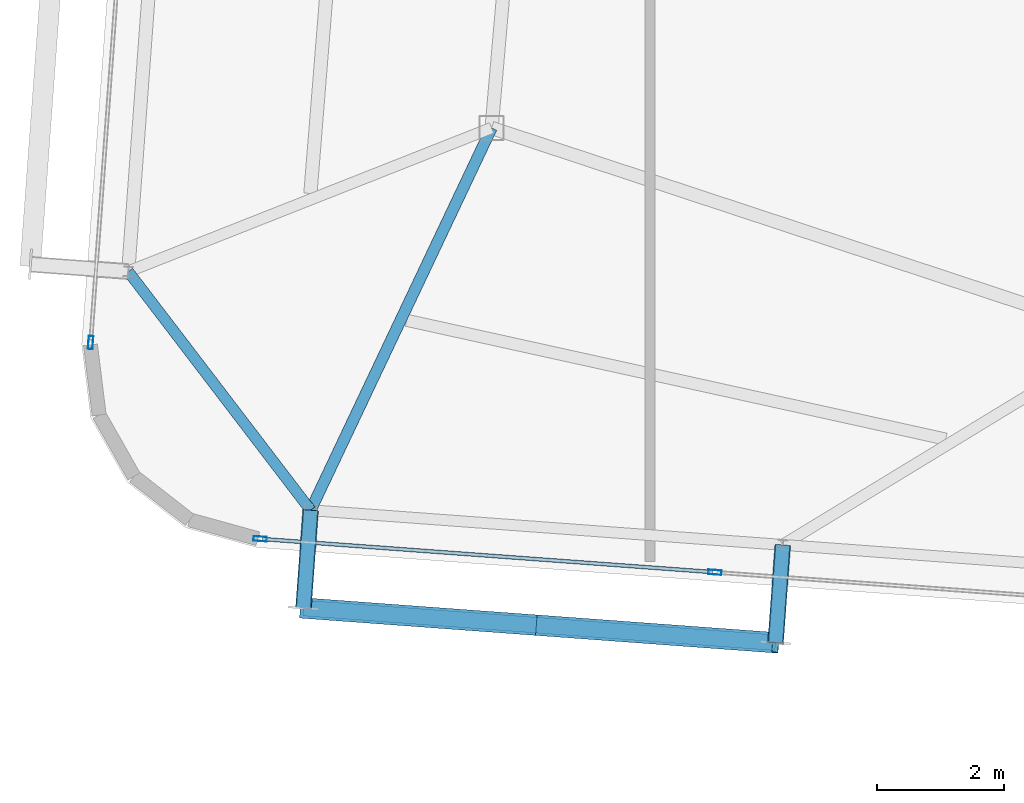
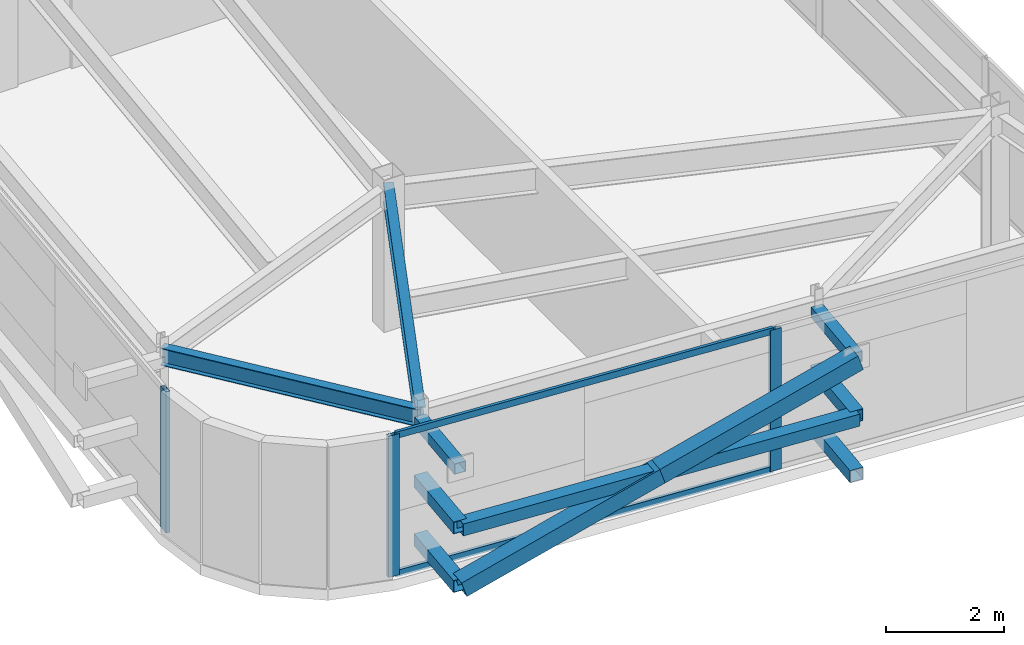
# One storey, part 9 of 39: 14 members, 2 beams, 2 elements without a shape of their own.
"""IFC4 building model written with IfcOpenShell, lengths in metres."""

from ifc_helpers import new_model, si_unit, direction, frame, origin, origin_2d, place, context, subcontext, project, spatial, hollow_rectangle, i_section, extrude, source, transform, mapped, material, layer, layer_set, material_profile, profile_set, type_object, element, aggregate, save


model = new_model("IFC4")

# Units and contexts
model_context = context("Model", 3, precision=1e-05, world=origin(), true_north=direction((0.0, 1.0)))
body_context = subcontext(model_context, "Body", "Model", "MODEL_VIEW")
ifc_project = project(units=[si_unit("LENGTHUNIT", "METRE"), si_unit("AREAUNIT", "SQUARE_METRE"), si_unit("VOLUMEUNIT", "CUBIC_METRE"), si_unit("PLANEANGLEUNIT", "RADIAN"), si_unit("MASSUNIT", "GRAM", prefix="KILO")], contexts=[model_context])

# Site, building, storey
site_placement = place(None, origin())
site = spatial("IfcSite", under=ifc_project, at=site_placement, CompositionType="ELEMENT")
building_placement = place(site_placement, origin())
building = spatial("IfcBuilding", under=site, at=building_placement, Name="Taldren Reach Tower", CompositionType="ELEMENT")
storey_placement = place(building_placement, frame((0.0, 0.0, 230.300048828125)))
storey = spatial("IfcBuildingStorey", under=building, at=storey_placement, Name="L70", CompositionType="ELEMENT", Elevation=230.300048828125)

# Members
ifc_material_1 = material(Name="Steel Gr 350 (C350L0)", Category="steel")
ifc_material_profile_1 = material_profile(ifc_material_1, hollow_rectangle(XDim=0.25, YDim=0.25, WallThickness=0.010009765625, at=origin_2d()), Name="250x250x10.0SHS")
ifc_profile_set_1 = profile_set([ifc_material_profile_1], Name="Steel Gr 350 (C350L0)")
member_type_1 = type_object("IfcMemberType", Name="MB-POST250", PredefinedType="POST", material=ifc_profile_set_1)
shared_shape_1 = source(origin(), body_context, "Body", "SweptSolid", [
    extrude(hollow_rectangle(XDim=0.25, YDim=0.25, WallThickness=0.010009765625, at=origin_2d()), origin(), (0.0, 0.0, 1.0), 1.5498046875),
])
for number, where, z_axis, x_axis, name in (
    (1, (22.6005859375, 5.912353515625, 0.219970703125), (-0.073250797913, -0.997313551801, 0.0), (0.997313551801, -0.073250797913, 0.0), "Exoskeleton base diaphragm tie strut B5-S2 L70"),
    (2, (22.6005859375, 5.912353515625, 1.43505859375), (-0.073250797913, -0.997313551801, 0.0), (0.997313551801, -0.073250797913, 0.0), "Exoskeleton mid-tier diaphragm tie B5-S2 L70"),
):
    element("IfcMember", number, at=place(storey_placement, frame(where, z_axis=z_axis, x_axis=x_axis)), inside=storey, type_object=member_type_1, Name=name, PredefinedType="POST", context=body_context, shape_type="MappedRepresentation", body=[
        mapped(shared_shape_1, transform((0.0, 0.0, 0.0), scale=1.0)),
    ])
shared_shape_2 = source(origin(), body_context, "Body", "SweptSolid", [
    extrude(hollow_rectangle(XDim=0.25, YDim=0.25, WallThickness=0.010009765625, at=origin_2d()), origin(), (0.0, 0.0, 1.0), 1.550048828125),
])
for number, where, z_axis, x_axis, name in (
    (3, (15.140625, 6.460205078125, 0.219970703125), (-0.07323929162, -0.997314396849, 0.0), (0.997314396849, -0.07323929162, 0.0), "Exoskeleton base diaphragm tie strut B5-S1 L70"),
    (4, (15.140625, 6.460205078125, 1.43505859375), (-0.07323929162, -0.997314396849, 0.0), (0.997314396849, -0.07323929162, 0.0), "Exoskeleton mid-tier diaphragm tie B5-S1 L70"),
):
    element("IfcMember", number, at=place(storey_placement, frame(where, z_axis=z_axis, x_axis=x_axis)), inside=storey, type_object=member_type_1, Name=name, PredefinedType="POST", context=body_context, shape_type="MappedRepresentation", body=[
        mapped(shared_shape_2, transform((0.0, 0.0, 0.0), scale=1.0)),
    ])
ifc_material_2 = material(Name="Steel Gr 450 (C450L0)", Category="steel")
ifc_material_profile_2 = material_profile(ifc_material_2, hollow_rectangle(XDim=0.219970703125, YDim=0.219970703125, WallThickness=0.00830078125, at=origin_2d()), Name="220x220x8.2SHS")
ifc_profile_set_2 = profile_set([ifc_material_profile_2], Name="Steel Gr 450 (C450L0)")
member_type_2 = type_object("IfcMemberType", Name="MB-TIE219", PredefinedType="STRUT", material=ifc_profile_set_2)
shared_shape_3 = source(origin(), body_context, "Body", "SweptSolid", [
    extrude(hollow_rectangle(XDim=0.219970703125, YDim=0.219970703125, WallThickness=0.00830078125, at=origin_2d()), origin(), (0.0, 0.0, 1.0), 1.5498046875),
])
member_1_placement = place(storey_placement, frame((22.6005859375, 5.912353515625, 2.64990234375), z_axis=(-0.073250797913, -0.997313551801, 0.0), x_axis=(0.997313551801, -0.073250797913, 0.0)))
element("IfcMember", 5, at=member_1_placement, inside=storey, type_object=member_type_2, Name="Exoskeleton diaphragm tie strut B5-S2 L70", PredefinedType="STRUT", context=body_context, shape_type="MappedRepresentation", body=[
    mapped(shared_shape_3, transform((0.0, 0.0, 0.0), scale=1.0)),
])
shared_shape_4 = source(origin(), body_context, "Body", "SweptSolid", [
    extrude(hollow_rectangle(XDim=0.219970703125, YDim=0.219970703125, WallThickness=0.00830078125, at=origin_2d()), origin(), (0.0, 0.0, 1.0), 1.550048828125),
])
member_2_placement = place(storey_placement, frame((15.140625, 6.460205078125, 2.64990234375), z_axis=(-0.07323929162, -0.997314396849, 0.0), x_axis=(0.997314396849, -0.07323929162, 0.0)))
element("IfcMember", 6, at=member_2_placement, inside=storey, type_object=member_type_2, Name="Exoskeleton diaphragm tie strut B5-S1 L70", PredefinedType="STRUT", context=body_context, shape_type="MappedRepresentation", body=[
    mapped(shared_shape_4, transform((0.0, 0.0, 0.0), scale=1.0)),
])

# Beams
ifc_material_3 = material(Name="Steel Gr 350 (350PLUS)", Category="steel")
ifc_material_profile_3 = material_profile(ifc_material_3, i_section(OverallWidth=0.172119140625, OverallDepth=0.35888671875, WebThickness=0.008056640625, FlangeThickness=0.012939453125, at=origin_2d()), Name="360UB56.7")
ifc_profile_set_3 = profile_set([ifc_material_profile_3], Name="Steel Gr 350 (350PLUS)")
beam_type_1 = type_object("IfcBeamType", Name="SP-UB360", PredefinedType="SPANDREL", material=ifc_profile_set_3)
shared_shape_5 = source(origin(), body_context, "Body", "SweptSolid", [
    extrude(i_section(OverallWidth=0.172119140625, OverallDepth=0.35888671875, WebThickness=0.008056640625, FlangeThickness=0.012939453125, at=origin_2d()), origin(), (0.0, 0.0, 1.0), 4.74609375),
])
beam_1_placement = place(storey_placement, frame((12.259033203125, 10.2314453125, 2.75048828125), z_axis=(0.607144568334, -0.794591387533, 0.0), x_axis=(0.794591387533, 0.607144568334, 0.0)))
element("IfcBeam", 7, at=beam_1_placement, inside=storey, type_object=beam_type_1, Name="Perimeter spandrel B5 W1-S1 L70", PredefinedType="SPANDREL", context=body_context, shape_type="MappedRepresentation", body=[
    mapped(shared_shape_5, transform((0.0, 0.0, 0.0), scale=1.0)),
])
ifc_material_profile_4 = material_profile(ifc_material_3, i_section(OverallWidth=0.177978515625, OverallDepth=0.406005859375, WebThickness=0.0078125, FlangeThickness=0.0126953125, at=origin_2d()), Name="410UB59.7")
ifc_profile_set_4 = profile_set([ifc_material_profile_4], Name="Steel Gr 350 (350PLUS)")
beam_type_2 = type_object("IfcBeamType", Name="BM-UB410", PredefinedType="BEAM", material=ifc_profile_set_4)
shared_shape_6 = source(origin(), body_context, "Body", "SweptSolid", [
    extrude(i_section(OverallWidth=0.177978515625, OverallDepth=0.406005859375, WebThickness=0.0078125, FlangeThickness=0.0126953125, at=origin_2d()), origin(), (0.0, 0.0, 1.0), 6.682373046875),
])
beam_2_placement = place(storey_placement, frame((18.0, 12.5, 2.72705078125), z_axis=(-0.427893164494, -0.903829320049, 0.0), x_axis=(0.903829320049, -0.427893164494, 0.0)))
element("IfcBeam", 8, at=beam_2_placement, inside=storey, type_object=beam_type_2, Name="Primary floor girder B5-S1 L70", PredefinedType="BEAM", context=body_context, shape_type="MappedRepresentation", body=[
    mapped(shared_shape_6, transform((0.0, 0.0, 0.0), scale=1.0)),
])

# Members
ifc_material_profile_5 = material_profile(ifc_material_2, hollow_rectangle(XDim=0.324951171875, YDim=0.324951171875, WallThickness=0.0126953125, at=origin_2d()), Name="325x325x12.7SHS")
ifc_profile_set_5 = profile_set([ifc_material_profile_5], Name="Steel Gr 450 (C450L0)")
member_type_3 = type_object("IfcMemberType", Name="MB-BR324", PredefinedType="BRACE", material=ifc_profile_set_5)
shared_shape_7 = source(origin(), body_context, "Body", "SweptSolid", [
    extrude(hollow_rectangle(XDim=0.324951171875, YDim=0.324951171875, WallThickness=0.0126953125, at=origin_2d()), origin(), (0.0, 0.0, 1.0), 3.932373046875),
])
for number, where, z_axis, x_axis, name in (
    (9, (15.027099609375, 4.914306640625, 0.219970703125), (0.948511132845, -0.069657644394, 0.308989390507), (0.07324169103, 0.997314220642, 0.0), "Exoskeleton Diagrid Brace B5-S1 L70"),
    (10, (18.757080078125, 4.640380859375, 1.43505859375), (0.948533427308, -0.069597196754, 0.308934568287), (0.073176762938, 0.997318986767, 0.0), "Exoskeleton Diagrid Brace B5-S1 L70"),
):
    element("IfcMember", number, at=place(storey_placement, frame(where, z_axis=z_axis, x_axis=x_axis)), inside=storey, type_object=member_type_3, Name=name, PredefinedType="BRACE", context=body_context, shape_type="MappedRepresentation", body=[
        mapped(shared_shape_7, transform((0.0, 0.0, 0.0), scale=1.0)),
    ])
shared_shape_8 = source(origin(), body_context, "Body", "SweptSolid", [
    extrude(hollow_rectangle(XDim=0.25, YDim=0.25, WallThickness=0.010009765625, at=origin_2d()), origin(), (0.0, 0.0, 1.0), 7.47998046875),
])
member_3_placement = place(storey_placement, frame((15.027099609375, 4.914306640625, 1.43505859375), z_axis=(0.997316604227, -0.0732092271, 0.0), x_axis=(0.0732092271, 0.997316604227, 0.0)))
element("IfcMember", 11, at=member_3_placement, inside=storey, type_object=member_type_1, Name="Exoskeleton mid-height ring chord B5-S1 L70", PredefinedType="POST", context=body_context, shape_type="MappedRepresentation", body=[
    mapped(shared_shape_8, transform((0.0, 0.0, 0.0), scale=1.0)),
])

# Curtain wall, members
ifc_material_4 = material(Name="Aluminium and Low-E Glass Unitised System", Category="aluminium")
ifc_layer = layer(ifc_material_4, 0.159912109375)
ifc_layer_set = layer_set([ifc_layer], Name="Aluminium and Low-E Glass Unitised System")
curtain_wall_type = type_object("IfcCurtainWallType", Name="CW-SYS-7", PredefinedType="NOTDEFINED", material=ifc_layer_set)
curtain_wall_1_placement = place(storey_placement, origin())
curtain_wall_1 = element("IfcCurtainWall", 12, at=curtain_wall_1_placement, inside=storey, type_object=curtain_wall_type, Name="Unitised curtain wall CW-L70-SWING", PredefinedType="NOTDEFINED")
ifc_material_5 = material(Name="Anodised Aluminium 6063-T6", Category="aluminium")
ifc_material_profile_6 = material_profile(ifc_material_5, hollow_rectangle(XDim=0.074951171875, YDim=0.2099609375, WallThickness=0.00439453125, at=origin_2d()), Name="ALU-210x75x4.5RHS")
ifc_profile_set_6 = profile_set([ifc_material_profile_6], Name="Anodised Aluminium 6063-T6")
member_type_4 = type_object("IfcMemberType", Name="CW-MUL-200", PredefinedType="MULLION", material=ifc_profile_set_6)
shared_shape_9 = source(origin(), body_context, "Body", "SweptSolid", [
    extrude(hollow_rectangle(XDim=0.074951171875, YDim=0.2099609375, WallThickness=0.00439453125, at=origin_2d()), origin(), (0.0, 0.0, 1.0), 2.929931640625),
])
member_4_placement = place(storey_placement, frame((14.3427734375, 6.007568359375, 0.0), z_axis=(0.0, 0.0, 1.0), x_axis=(0.073238148285, 0.997314480811, 0.0)))
member_4 = element("IfcMember", 13, at=member_4_placement, type_object=member_type_4, Name="CW-7 mullion 1", PredefinedType="MULLION", context=body_context, shape_type="MappedRepresentation", body=[
    mapped(shared_shape_9, transform((0.0, 0.0, 0.0), scale=1.0)),
])
member_5_placement = place(storey_placement, frame((21.52783203125, 5.479736328125, 0.0), z_axis=(0.0, 0.0, 1.0), x_axis=(0.073238148285, 0.997314480811, 0.0)))
member_5 = element("IfcMember", 14, at=member_5_placement, type_object=member_type_4, Name="CW-7 mullion 2", PredefinedType="MULLION", context=body_context, shape_type="MappedRepresentation", body=[
    mapped(shared_shape_9, transform((0.0, 0.0, 0.0), scale=1.0)),
])

# Curtain wall, member
curtain_wall_2_placement = place(storey_placement, origin())
curtain_wall_2 = element("IfcCurtainWall", 15, at=curtain_wall_2_placement, inside=storey, type_object=curtain_wall_type, Name="Unitised curtain wall CW-L70-W", PredefinedType="NOTDEFINED")
member_6_placement = place(storey_placement, frame((11.665283203125, 9.109375, 0.0), z_axis=(0.0, 0.0, 1.0), x_axis=(0.997314470951, -0.073238282558, 0.0)))
member_6 = element("IfcMember", 16, at=member_6_placement, type_object=member_type_4, Name="CW-7 mullion 3", PredefinedType="MULLION", context=body_context, shape_type="MappedRepresentation", body=[
    mapped(shared_shape_9, transform((0.0, 0.0, 0.0), scale=1.0)),
])
aggregate(curtain_wall_2, [member_6])

# Member
ifc_material_profile_7 = material_profile(ifc_material_5, hollow_rectangle(XDim=0.06005859375, YDim=0.135009765625, WallThickness=0.00341796875, at=origin_2d()), Name="ALU-135x60x3.5RHS")
ifc_profile_set_7 = profile_set([ifc_material_profile_7], Name="Anodised Aluminium 6063-T6")
member_type_5 = type_object("IfcMemberType", Name="CW-TRN-150", PredefinedType="USERDEFINED", material=ifc_profile_set_7)
shared_shape_10 = source(origin(), body_context, "Body", "SweptSolid", [
    extrude(hollow_rectangle(XDim=0.06005859375, YDim=0.135009765625, WallThickness=0.00341796875, at=origin_2d()), origin(), (0.0, 0.0, 1.0), 7.12890625),
])
member_7_placement = place(storey_placement, frame((14.38037109375, 6.004638671875, 0.030029296875), z_axis=(0.997315942834, -0.073218236583, 0.0), x_axis=(0.073218236583, 0.997315942834, 0.0)))
member_7 = element("IfcMember", 17, at=member_7_placement, type_object=member_type_5, Name="CW-7 transom 1.1", ObjectType="TRANSOM", PredefinedType="USERDEFINED", context=body_context, shape_type="MappedRepresentation", body=[
    mapped(shared_shape_10, transform((0.0, 0.0, 0.0), scale=1.0)),
])

member_8_placement = place(storey_placement, frame((14.38037109375, 6.004638671875, 2.89990234375), z_axis=(0.997315942834, -0.073218236583, 0.0), x_axis=(0.073218236583, 0.997315942834, 0.0)))
member_8 = element("IfcMember", 18, at=member_8_placement, type_object=member_type_5, Name="CW-7 transom 1.2", ObjectType="TRANSOM", PredefinedType="USERDEFINED", context=body_context, shape_type="MappedRepresentation", body=[
    mapped(shared_shape_10, transform((0.0, 0.0, 0.0), scale=1.0)),
])

aggregate(curtain_wall_1, [member_4, member_5, member_7, member_8])

save(model, "model.ifc")
